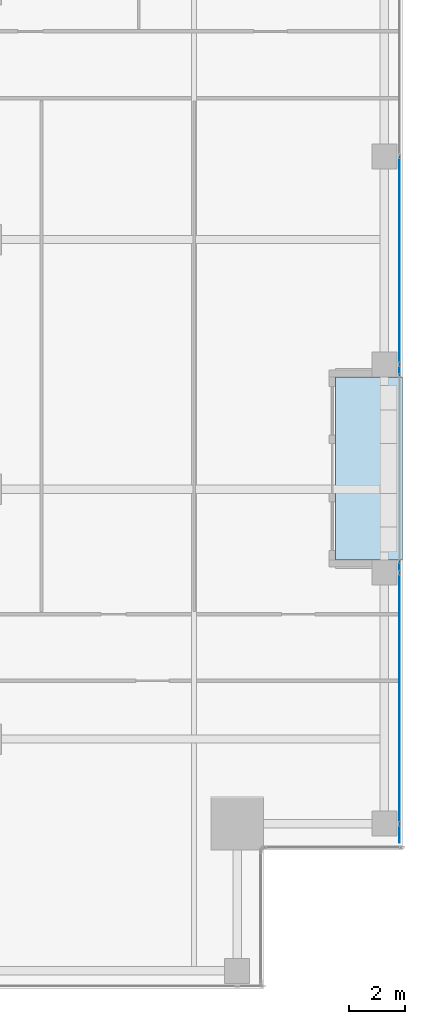
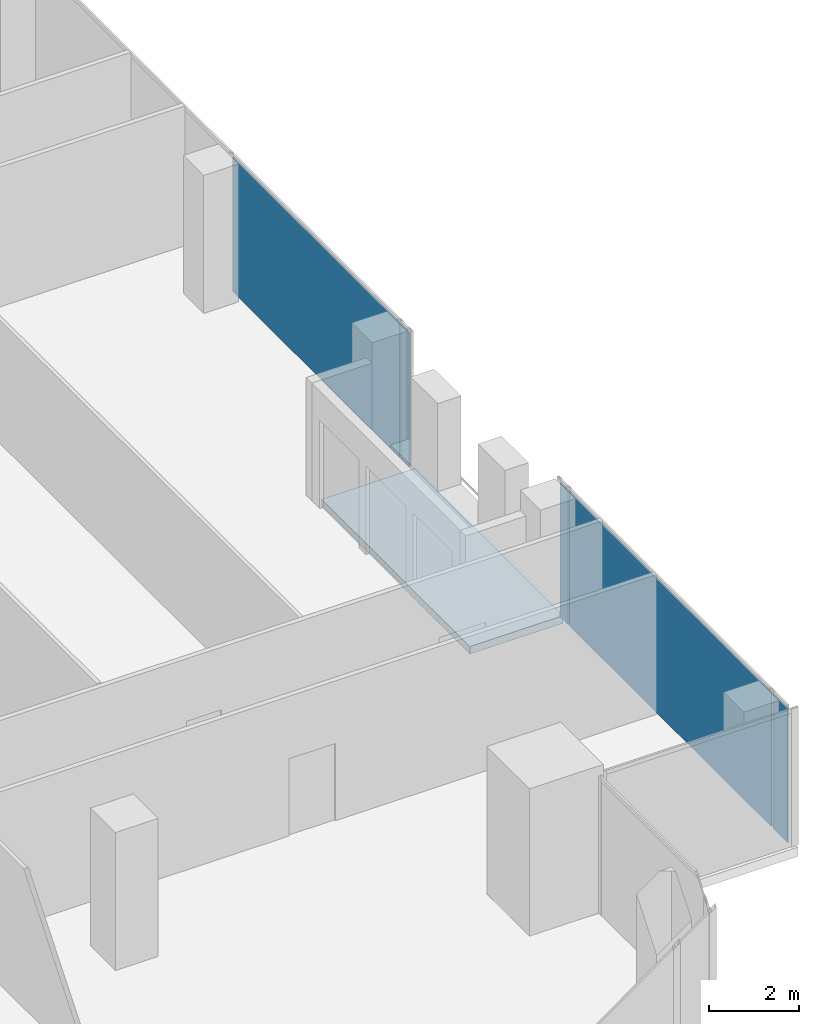
# One storey, part 27 of 35: 5 plates, 1 slab, 2 elements without a shape of their own.
"""IFC4 building model written with IfcOpenShell, lengths in metres."""

from ifc_helpers import new_model, si_unit, direction, frame, origin, origin_2d, place, context, subcontext, project, spatial, polyline, rectangle, outline, extrude, source, transform, mapped, material, layer, layer_set, type_object, element, aggregate, save


model = new_model("IFC4")

# Units and contexts
model_context = context("Model", 3, precision=1e-05, world=origin(), true_north=direction((0.0, 1.0)))
body_context = subcontext(model_context, "Body", "Model", "MODEL_VIEW")
ifc_project = project(units=[si_unit("LENGTHUNIT", "METRE"), si_unit("AREAUNIT", "SQUARE_METRE"), si_unit("VOLUMEUNIT", "CUBIC_METRE"), si_unit("PLANEANGLEUNIT", "RADIAN"), si_unit("MASSUNIT", "GRAM", prefix="KILO")], contexts=[model_context])

# Site, building, storey
site_placement = place(None, origin())
site = spatial("IfcSite", under=ifc_project, at=site_placement, CompositionType="ELEMENT")
building_placement = place(site_placement, origin())
building = spatial("IfcBuilding", under=site, at=building_placement, Name="Khomas Fold Tower", CompositionType="ELEMENT")
storey_placement = place(building_placement, frame((0.0, 0.0, 262.199951171875)))
storey = spatial("IfcBuildingStorey", under=building, at=storey_placement, Name="L59", CompositionType="ELEMENT", Elevation=262.199951171875)

# Curtain wall, plate
ifc_material_1 = material(Name="Aluminium framed double glazing", Category="aluminium")
curtain_wall_type = type_object("IfcCurtainWallType", Name="SK-Unitised clear-glass wall, office floors CW2", PredefinedType="NOTDEFINED", material=ifc_material_1)
curtain_wall_1_placement = place(storey_placement, origin())
curtain_wall_1 = element("IfcCurtainWall", 1, at=curtain_wall_1_placement, inside=storey, type_object=curtain_wall_type, Name="CW2 run L59 03-0", PredefinedType="NOTDEFINED")
ifc_material_2 = material(Name="Clear double glazed unit")
ifc_layer_1 = layer(ifc_material_2, 0.030029296875)
ifc_layer_set_1 = layer_set([ifc_layer_1], Name="Clear double glazed unit")
plate_type = type_object("IfcPlateType", Name="SK-Unitised clear-glass wall, office floors glass panel CW2-P", PredefinedType="CURTAIN_PANEL", material=ifc_layer_set_1)
shared_shape_1 = source(origin(), body_context, "Body", "SweptSolid", [
    extrude(rectangle(XDim=0.659912109375, YDim=0.030029296875, at=origin_2d()), origin(), (0.0, 0.0, 1.0), 3.639892578125),
])
plate_1_placement = place(storey_placement, frame((49.39990234375, 10.090087890625, 0.0), z_axis=(0.0, 0.0, 1.0), x_axis=(0.0, 1.0, 0.0)))
plate_1 = element("IfcPlate", 2, at=plate_1_placement, type_object=plate_type, Name="CW2 glass panel 1", PredefinedType="CURTAIN_PANEL", context=body_context, shape_type="MappedRepresentation", body=[
    mapped(shared_shape_1, transform((0.0, 0.0, 0.0))),
])

curtain_wall_2_placement = place(storey_placement, origin())
curtain_wall_2 = element("IfcCurtainWall", 3, at=curtain_wall_2_placement, inside=storey, type_object=curtain_wall_type, Name="CW2 run L59 03-1", PredefinedType="NOTDEFINED")
shared_shape_2 = source(origin(), body_context, "Body", "SweptSolid", [
    extrude(rectangle(XDim=7.43994140625, YDim=0.030029296875, at=origin_2d()), origin(), (0.0, 0.0, 1.0), 3.639892578125),
])
plate_2_placement = place(storey_placement, frame((49.39990234375, 30.75, 0.0), z_axis=(0.0, 0.0, 1.0), x_axis=(0.0, 1.0, 0.0)))
plate_2 = element("IfcPlate", 4, at=plate_2_placement, type_object=plate_type, Name="CW2 glass panel 2", PredefinedType="CURTAIN_PANEL", context=body_context, shape_type="MappedRepresentation", body=[
    mapped(shared_shape_2, transform((0.0, 0.0, 0.0))),
])

# Plate
shared_shape_3 = source(origin(), body_context, "Body", "SweptSolid", [
    extrude(rectangle(XDim=8.989990234375, YDim=0.030029296875, at=origin_2d()), origin(), (0.0, 0.0, 1.0), 3.639892578125),
])
plate_3_placement = place(storey_placement, frame((49.39990234375, 14.97509765625, 0.0), z_axis=(0.0, 0.0, 1.0), x_axis=(0.0, 1.0, 0.0)))
plate_3 = element("IfcPlate", 5, at=plate_3_placement, type_object=plate_type, Name="CW2 glass panel 2", PredefinedType="CURTAIN_PANEL", context=body_context, shape_type="MappedRepresentation", body=[
    mapped(shared_shape_3, transform((0.0, 0.0, 0.0))),
])

shared_shape_4 = source(origin(), body_context, "Body", "SweptSolid", [
    extrude(rectangle(XDim=0.360107421875, YDim=0.030029296875, at=origin_2d()), origin(), (0.0, 0.0, 1.0), 3.639892578125),
])
plate_4_placement = place(storey_placement, frame((49.39990234375, 19.7099609375, 0.0), z_axis=(0.0, 0.0, 1.0), x_axis=(0.0, 1.0, 0.0)))
plate_4 = element("IfcPlate", 6, at=plate_4_placement, type_object=plate_type, Name="CW2 glass panel 3", PredefinedType="CURTAIN_PANEL", context=body_context, shape_type="MappedRepresentation", body=[
    mapped(shared_shape_4, transform((0.0, 0.0, 0.0))),
])

aggregate(curtain_wall_1, [plate_1, plate_3, plate_4])

plate_5_placement = place(storey_placement, frame((49.39990234375, 26.7900390625, 0.0), z_axis=(0.0, 0.0, 1.0), x_axis=(0.0, 1.0, 0.0)))
plate_5 = element("IfcPlate", 7, at=plate_5_placement, type_object=plate_type, Name="CW2 glass panel 1", PredefinedType="CURTAIN_PANEL", context=body_context, shape_type="MappedRepresentation", body=[
    mapped(shared_shape_4, transform((0.0, 0.0, 0.0))),
])

aggregate(curtain_wall_2, [plate_5, plate_2])

# Slab
ifc_material_3 = material(Name="Concrete C40/50", Category="concrete")
ifc_layer_2 = layer(ifc_material_3, 0.205078125)
ifc_layer_set_2 = layer_set([ifc_layer_2], Name="Concrete C40/50")
slab_type = type_object("IfcSlabType", Name="BL-Balcony deck 205", PredefinedType="FLOOR", material=ifc_layer_set_2)
shared_shape_5 = source(origin(), body_context, "Body", "SweptSolid", [
    extrude(outline(polyline([(47.10009765625, 19.949951171875), (49.5, 19.949951171875), (49.5, 26.550048828125), (47.10009765625, 26.550048828125), (47.10009765625, 19.949951171875)])), origin(), (0.0, 0.0, 1.0), 0.205078125),
])
slab_placement = place(storey_placement, frame((0.0, 0.0, -0.25)))
element("IfcSlab", 8, at=slab_placement, inside=storey, type_object=slab_type, Name="Balcony deck BAL-L59-E2", PredefinedType="FLOOR", context=body_context, shape_type="MappedRepresentation", body=[
    mapped(shared_shape_5, transform((0.0, 0.0, 0.0))),
])

save(model, "model.ifc")
